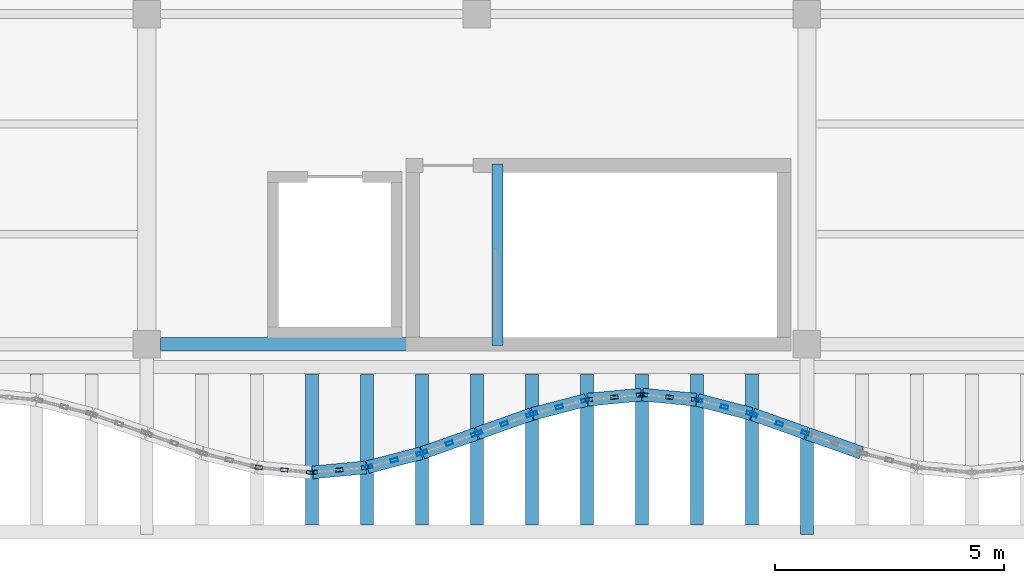
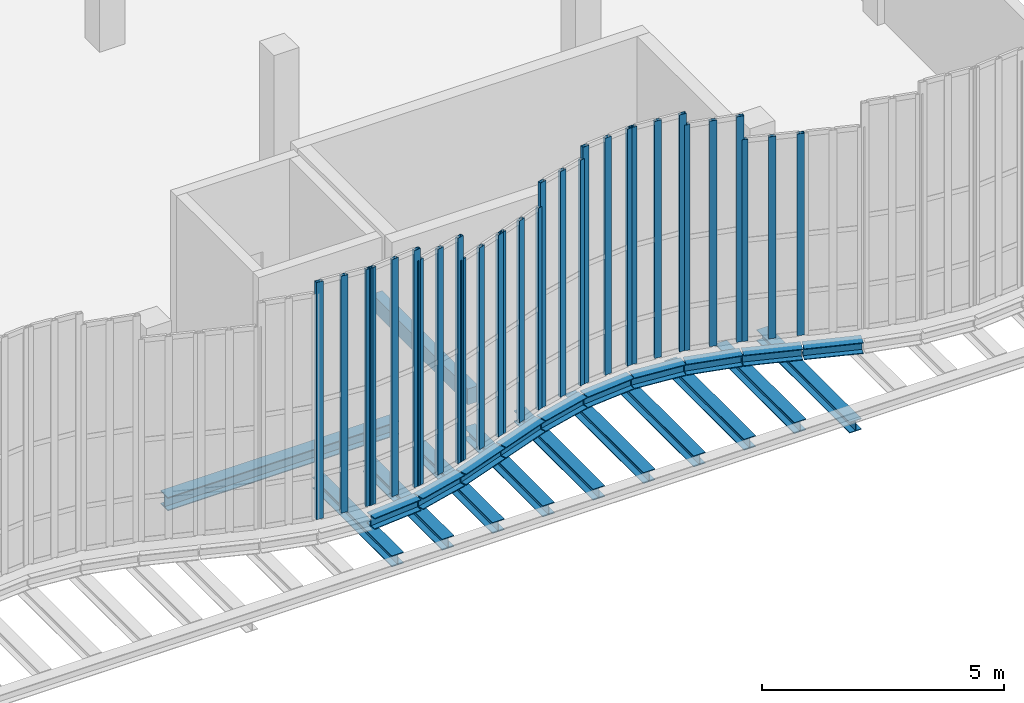
# One storey, part 24 of 76: 30 members, 22 beams, 10 elements without a shape of their own.
"""IFC4 building model written with IfcOpenShell, lengths in metres."""

import ifcopenshell
import ifcopenshell.guid

model = None  # the IFC model being written
_history = None  # IfcOwnerHistory: only IFC2X3 demands one
_inside = {}  # id of a spatial element -> (the spatial element, [elements in it])
_under = {}  # id of a project, library or spatial element -> (it, [spatial elements below it])
_declared = {}  # id of a project -> (the project, [libraries it declares])
_typed = {}  # id of a type object -> (the type object, [elements of that type])
_made_of = {}  # id of a material, layer set ... -> (it, [elements and type objects made of it])


def new_model(schema):
    """Start an empty IFC model of exactly this schema.

    Asked for "IFC4X3", IfcOpenShell would pick the latest addendum, in which some entities
    have other attributes; the version numbers below select the first issue.
    IFC2X3 requires an IfcOwnerHistory on every rooted entity: one is made here for all.
    """
    global model, _history
    if schema == "IFC4X3":
        model = ifcopenshell.file(schema_version=(4, 3, 0, 0))
    else:
        model = ifcopenshell.file(schema=schema)
    _inside.clear()
    _under.clear()
    _declared.clear()
    _typed.clear()
    _made_of.clear()
    _history = None
    if model.schema == "IFC2X3":
        org = make("IfcOrganization", Name="unknown")
        user = make(
            "IfcPersonAndOrganization",
            ThePerson=make("IfcPerson", FamilyName="unknown"),
            TheOrganization=org,
        )
        app = make(
            "IfcApplication",
            ApplicationDeveloper=org,
            Version="unknown",
            ApplicationFullName="unknown",
            ApplicationIdentifier="unknown",
        )
        _history = make(
            "IfcOwnerHistory",
            OwningUser=user,
            OwningApplication=app,
            ChangeAction="ADDED",
            CreationDate=0,
        )
    return model


def make(cls, **values):
    """One entity of the class cls with the attributes given. An attribute that is None is left unset."""
    return model.create_entity(
        cls, **{name: value for name, value in values.items() if value is not None}
    )


def rooted(cls, **values):
    """An entity with a GlobalId (a new one), such as an element, a storey or a relation."""
    return make(cls, GlobalId=ifcopenshell.guid.new(), OwnerHistory=_history, **values)


def si_unit(unit_type, name, prefix=None):
    """IfcSIUnit, for example si_unit("LENGTHUNIT", "METRE", prefix="MILLI")."""
    return make("IfcSIUnit", UnitType=unit_type, Prefix=prefix, Name=name)


def assignment(units):
    """IfcUnitAssignment: the units of a project."""
    return None if units is None else make("IfcUnitAssignment", Units=units)


def point(xyz):
    """IfcCartesianPoint."""
    return None if xyz is None else make("IfcCartesianPoint", Coordinates=xyz)


def direction(xyz):
    """IfcDirection."""
    return None if xyz is None else make("IfcDirection", DirectionRatios=xyz)


def frame(location, z_axis=None, x_axis=None):
    """IfcAxis2Placement3D, a coordinate frame: its origin and axes. An axis left out is left unset."""
    return make(
        "IfcAxis2Placement3D",
        Location=point(location),
        Axis=direction(z_axis),
        RefDirection=direction(x_axis),
    )


def frame_2d(location, x_axis=None):
    """IfcAxis2Placement2D, a coordinate frame in the plane: its origin and x axis."""
    return make(
        "IfcAxis2Placement2D", Location=point(location), RefDirection=direction(x_axis)
    )


def origin():
    """The frame at (0, 0, 0) with its axes left unset."""
    return frame((0.0, 0.0, 0.0))


def origin_2d():
    """The frame at (0, 0) in the plane with its x axis left unset."""
    return frame_2d((0.0, 0.0))


def place(relative_to, where):
    """IfcLocalPlacement: puts the frame where relative to a parent placement (None: the world)."""
    return make(
        "IfcLocalPlacement", PlacementRelTo=relative_to, RelativePlacement=where
    )


def context(
    kind, dimensions, precision=None, world=None, true_north=None, identifier=None
):
    """IfcGeometricRepresentationContext, for example the 3D "Model" context."""
    return make(
        "IfcGeometricRepresentationContext",
        ContextIdentifier=identifier,
        ContextType=kind,
        CoordinateSpaceDimension=dimensions,
        Precision=precision,
        WorldCoordinateSystem=world,
        TrueNorth=true_north,
    )


def subcontext(parent, identifier, kind, view, scale=None):
    """IfcGeometricRepresentationSubContext, for example "Body" below "Model"."""
    return make(
        "IfcGeometricRepresentationSubContext",
        ContextIdentifier=identifier,
        ContextType=kind,
        ParentContext=parent,
        TargetScale=scale,
        TargetView=view,
    )


def project(units=None, contexts=None):
    """IfcProject with its units and contexts."""
    return rooted(
        "IfcProject",
        Name="project",
        RepresentationContexts=contexts,
        UnitsInContext=assignment(units),
    )


def spatial(cls, under=None, at=None, **own):
    """A site, building, storey or space (cls), placed at a placement, below another one or the project."""
    s = rooted(cls, ObjectPlacement=at, **own)
    if under is not None:
        _under.setdefault(under.id(), (under, []))[1].append(s)
    return s


def profile(cls, at=None, kind="AREA", **sizes):
    """A parametric profile (cls). Its sizes go by their IFC names, for example OverallWidth=200.0."""
    return make(cls, ProfileType=kind, Position=at, **sizes)


def rectangle(**sizes):
    """IfcRectangleProfileDef."""
    return profile("IfcRectangleProfileDef", **sizes)


def hollow_rectangle(**sizes):
    """IfcRectangleHollowProfileDef."""
    return profile("IfcRectangleHollowProfileDef", **sizes)


def i_section(**sizes):
    """IfcIShapeProfileDef."""
    return profile("IfcIShapeProfileDef", **sizes)


def extrude(swept, where, along, depth):
    """IfcExtrudedAreaSolid: the profile swept, set in the frame where, extruded along a direction by depth."""
    return make(
        "IfcExtrudedAreaSolid",
        SweptArea=swept,
        Position=where,
        ExtrudedDirection=direction(along),
        Depth=depth,
    )


def shape(context_of_items, identifier, shape_type, items):
    """IfcShapeRepresentation: the items that make up one representation, for example the "Body"."""
    return make(
        "IfcShapeRepresentation",
        ContextOfItems=context_of_items,
        RepresentationIdentifier=identifier,
        RepresentationType=shape_type,
        Items=items,
    )


def material(Name=None, Category=None):
    """IfcMaterial."""
    return make("IfcMaterial", Name=Name, Category=Category)


def layer(
    of_material, thickness, ventilated=None, Name=None, Category=None, Priority=None
):
    """IfcMaterialLayer: one layer of a wall or slab, of a material (None: an air gap)."""
    return make(
        "IfcMaterialLayer",
        Material=of_material,
        LayerThickness=thickness,
        IsVentilated=ventilated,
        Name=Name,
        Category=Category,
        Priority=Priority,
    )


def layer_set(layers, Name=None):
    """IfcMaterialLayerSet."""
    return make("IfcMaterialLayerSet", MaterialLayers=layers, LayerSetName=Name)


def material_profile(
    of_material, cross_section, Name=None, Category=None, Priority=None
):
    """IfcMaterialProfile: a cross section and its material."""
    return make(
        "IfcMaterialProfile",
        Name=Name,
        Material=of_material,
        Profile=cross_section,
        Priority=Priority,
        Category=Category,
    )


def profile_set(profiles, Name=None, composite=None):
    """IfcMaterialProfileSet."""
    return make(
        "IfcMaterialProfileSet",
        Name=Name,
        MaterialProfiles=profiles,
        CompositeProfile=composite,
    )


def made_of(thing, what):
    """Note that an element or type object is made of a material, layer set ...; save() writes the relation."""
    if what is not None:
        _made_of.setdefault(what.id(), (what, []))[1].append(thing)
    return thing


def type_object(cls, material=None, **own):
    """A type object (cls), such as IfcWallType, which elements share."""
    return made_of(rooted(cls, **own), material)


def element(
    cls,
    number,
    at=None,
    inside=None,
    cuts=None,
    type_object=None,
    material=None,
    context=None,
    identifier="Body",
    shape_type=None,
    held_by="IfcProductDefinitionShape",
    body=None,
    shapes=None,
    **own,
):
    """One element of the class cls, such as IfcWall. Its Tag is "e" and its number.

    at: its placement. inside: the storey or other place that contains it. cuts: it is an
    opening in that element (IfcRelVoidsElement). A single representation is given by context,
    identifier, shape_type and body (its items); several are given by shapes. held_by: the class
    of the entity that holds the representations. save() writes the other relations.
    """
    e = rooted(cls, Tag="e%d" % number, ObjectPlacement=at, **own)
    if body is not None:
        shapes = [shape(context, identifier, shape_type, body)]
    if shapes is not None:
        e.Representation = make(held_by, Representations=shapes)
    if inside is not None:
        _inside.setdefault(inside.id(), (inside, []))[1].append(e)
    if cuts is not None:
        rooted(
            "IfcRelVoidsElement", RelatingBuildingElement=cuts, RelatedOpeningElement=e
        )
    if type_object is not None:
        _typed.setdefault(type_object.id(), (type_object, []))[1].append(e)
    return made_of(e, material)


def aggregate(whole, parts):
    """IfcRelAggregates: a whole, such as a stair, and the parts it consists of."""
    return rooted("IfcRelAggregates", RelatingObject=whole, RelatedObjects=parts)


def save(model, path):
    """Write the relations noted so far, then the file.

    IfcRelAggregates (storeys below a building ...), IfcRelContainedInSpatialStructure (elements
    in a storey), IfcRelDefinesByType, IfcRelAssociatesMaterial and IfcRelDeclares: one each for
    every whole, place, type object, material and project.
    """
    for whole, parts in _under.values():
        aggregate(whole, parts)
    for where, things in _inside.values():
        rooted(
            "IfcRelContainedInSpatialStructure",
            RelatedElements=things,
            RelatingStructure=where,
        )
    for kind, things in _typed.values():
        rooted("IfcRelDefinesByType", RelatedObjects=things, RelatingType=kind)
    for what, things in _made_of.values():
        rooted("IfcRelAssociatesMaterial", RelatedObjects=things, RelatingMaterial=what)
    for by, libraries in _declared.values():
        rooted("IfcRelDeclares", RelatingContext=by, RelatedDefinitions=libraries)
    model.write(path)


model = new_model("IFC4")

# Units and contexts
model_context = context("Model", 3, precision=1e-05, world=origin(), true_north=direction((0.0, 1.0)))
body_context = subcontext(model_context, "Body", "Model", "MODEL_VIEW")
ifc_project = project(units=[si_unit("LENGTHUNIT", "METRE"), si_unit("AREAUNIT", "SQUARE_METRE"), si_unit("VOLUMEUNIT", "CUBIC_METRE"), si_unit("PLANEANGLEUNIT", "RADIAN"), si_unit("MASSUNIT", "GRAM", prefix="KILO"), si_unit("THERMODYNAMICTEMPERATUREUNIT", "KELVIN"), si_unit("POWERUNIT", "WATT")], contexts=[model_context])

# Site, building, storey
site_placement = place(None, origin())
site = spatial("IfcSite", under=ifc_project, at=site_placement, CompositionType="ELEMENT")
building_placement = place(site_placement, origin())
building = spatial("IfcBuilding", under=site, at=building_placement, Name="Kaldorven Railside Theatre", CompositionType="ELEMENT")
storey_placement = place(building_placement, frame((0.0, 0.0, 14.39990234375)))
storey = spatial("IfcBuildingStorey", under=building, at=storey_placement, Name="L03", CompositionType="ELEMENT", Elevation=14.39990234375)

# Beams
ifc_material_1 = material(Name="Steel S355", Category="steel")
ifc_material_profile_1 = material_profile(ifc_material_1, i_section(OverallWidth=0.280029296875, OverallDepth=0.280029296875, WebThickness=0.010498046875, FlangeThickness=0.01806640625, at=origin_2d()), Name="HEB 280")
ifc_profile_set_1 = profile_set([ifc_material_profile_1], Name="Steel S355")
beam_type_1 = type_object("IfcBeamType", Name="BM-HEB280", PredefinedType="SPANDREL", material=ifc_profile_set_1)
beam_1_placement = place(storey_placement, frame((116.0, 15.050048828125, -0.97998046875), z_axis=(0.0, 1.0, 0.0), x_axis=(-1.0, 0.0, 0.0)))
element("IfcBeam", 1, at=beam_1_placement, inside=storey, type_object=beam_type_1, Name="L03 Sinusoidal Lower Cantilever Girder FOB-K036", PredefinedType="SPANDREL", context=body_context, shape_type="SweptSolid", body=[
    extrude(i_section(OverallWidth=0.280029296875, OverallDepth=0.280029296875, WebThickness=0.010498046875, FlangeThickness=0.01806640625, at=origin_2d()), origin(), (0.0, 0.0, 1.0), 3.849853515625),
])
beam_2_placement = place(storey_placement, frame((105.21484375, 16.4013671875, -0.419921875), z_axis=(0.99552436473, 0.094505233873, 0.0), x_axis=(-0.094505233873, 0.99552436473, 0.0)))
element("IfcBeam", 2, at=beam_2_placement, inside=storey, type_object=beam_type_1, Name="L03 Sinusoidal Flute Edge Spandrel FSB-202", PredefinedType="SPANDREL", context=body_context, shape_type="SweptSolid", body=[
    extrude(i_section(OverallWidth=0.280029296875, OverallDepth=0.280029296875, WebThickness=0.010498046875, FlangeThickness=0.01806640625, at=origin_2d()), origin(), (0.0, 0.0, 1.0), 1.175537109375),
])
beam_3_placement = place(storey_placement, frame((105.199951171875, 15.260009765625, -0.699951171875), z_axis=(0.0, 1.0, 0.0), x_axis=(-1.0, 0.0, 0.0)))
element("IfcBeam", 3, at=beam_3_placement, inside=storey, type_object=beam_type_1, Name="L03 Sinusoidal Diaphragm Rib Outrigger FOB-M202", PredefinedType="SPANDREL", context=body_context, shape_type="SweptSolid", body=[
    extrude(i_section(OverallWidth=0.280029296875, OverallDepth=0.280029296875, WebThickness=0.010498046875, FlangeThickness=0.01806640625, at=origin_2d()), origin(), (0.0, 0.0, 1.0), 3.280029296875),
])
beam_4_placement = place(storey_placement, frame((106.41455078125, 16.517578125, -0.419921875), z_axis=(0.967967836725, 0.251074226206, 0.0), x_axis=(-0.251074226206, 0.967967836725, 0.0)))
element("IfcBeam", 4, at=beam_4_placement, inside=storey, type_object=beam_type_1, Name="L03 Sinusoidal Flute Edge Spandrel FSB-203", PredefinedType="SPANDREL", context=body_context, shape_type="SweptSolid", body=[
    extrude(i_section(OverallWidth=0.280029296875, OverallDepth=0.280029296875, WebThickness=0.010498046875, FlangeThickness=0.01806640625, at=origin_2d()), origin(), (0.0, 0.0, 1.0), 1.209716796875),
])
beam_5_placement = place(storey_placement, frame((106.39990234375, 15.260009765625, -0.699951171875), z_axis=(0.0, 1.0, 0.0), x_axis=(-1.0, 0.0, 0.0)))
element("IfcBeam", 5, at=beam_5_placement, inside=storey, type_object=beam_type_1, Name="L03 Sinusoidal Diaphragm Rib Outrigger FOB-M203", PredefinedType="SPANDREL", context=body_context, shape_type="SweptSolid", body=[
    extrude(i_section(OverallWidth=0.280029296875, OverallDepth=0.280029296875, WebThickness=0.010498046875, FlangeThickness=0.01806640625, at=origin_2d()), origin(), (0.0, 0.0, 1.0), 3.280029296875),
])
beam_6_placement = place(storey_placement, frame((107.614013671875, 16.830078125, -0.419921875), z_axis=(0.942627225161, 0.333847142245, 0.0), x_axis=(-0.333847142245, 0.942627225161, 0.0)))
element("IfcBeam", 6, at=beam_6_placement, inside=storey, type_object=beam_type_1, Name="L03 Sinusoidal Flute Edge Spandrel FSB-204", PredefinedType="SPANDREL", context=body_context, shape_type="SweptSolid", body=[
    extrude(i_section(OverallWidth=0.280029296875, OverallDepth=0.280029296875, WebThickness=0.010498046875, FlangeThickness=0.01806640625, at=origin_2d()), origin(), (0.0, 0.0, 1.0), 1.2431640625),
])
beam_7_placement = place(storey_placement, frame((107.60009765625, 15.260009765625, -0.699951171875), z_axis=(0.0, 1.0, 0.0), x_axis=(-1.0, 0.0, 0.0)))
element("IfcBeam", 7, at=beam_7_placement, inside=storey, type_object=beam_type_1, Name="L03 Sinusoidal Diaphragm Rib Outrigger FOB-M204", PredefinedType="SPANDREL", context=body_context, shape_type="SweptSolid", body=[
    extrude(i_section(OverallWidth=0.280029296875, OverallDepth=0.280029296875, WebThickness=0.010498046875, FlangeThickness=0.01806640625, at=origin_2d()), origin(), (0.0, 0.0, 1.0), 3.280029296875),
])
beam_8_placement = place(storey_placement, frame((108.814208984375, 17.2548828125, -0.419921875), z_axis=(0.942605331688, 0.333908952671, 0.0), x_axis=(-0.333908952671, 0.942605331688, 0.0)))
element("IfcBeam", 8, at=beam_8_placement, inside=storey, type_object=beam_type_1, Name="L03 Sinusoidal Flute Edge Spandrel FSB-205", PredefinedType="SPANDREL", context=body_context, shape_type="SweptSolid", body=[
    extrude(i_section(OverallWidth=0.280029296875, OverallDepth=0.280029296875, WebThickness=0.010498046875, FlangeThickness=0.01806640625, at=origin_2d()), origin(), (0.0, 0.0, 1.0), 1.242919921875),
])
beam_9_placement = place(storey_placement, frame((108.800048828125, 15.260009765625, -0.699951171875), z_axis=(0.0, 1.0, 0.0), x_axis=(-1.0, 0.0, 0.0)))
element("IfcBeam", 9, at=beam_9_placement, inside=storey, type_object=beam_type_1, Name="L03 Sinusoidal Diaphragm Rib Outrigger FOB-M205", PredefinedType="SPANDREL", context=body_context, shape_type="SweptSolid", body=[
    extrude(i_section(OverallWidth=0.280029296875, OverallDepth=0.280029296875, WebThickness=0.010498046875, FlangeThickness=0.01806640625, at=origin_2d()), origin(), (0.0, 0.0, 1.0), 3.280029296875),
])
beam_10_placement = place(storey_placement, frame((110.014404296875, 17.6787109375, -0.419921875), z_axis=(0.967980555895, 0.25102518481, 0.0), x_axis=(-0.25102518481, 0.967980555895, 0.0)))
element("IfcBeam", 10, at=beam_10_placement, inside=storey, type_object=beam_type_1, Name="L03 Sinusoidal Flute Edge Spandrel FSB-206", PredefinedType="SPANDREL", context=body_context, shape_type="SweptSolid", body=[
    extrude(i_section(OverallWidth=0.280029296875, OverallDepth=0.280029296875, WebThickness=0.010498046875, FlangeThickness=0.01806640625, at=origin_2d()), origin(), (0.0, 0.0, 1.0), 1.2099609375),
])
beam_11_placement = place(storey_placement, frame((110.0, 15.260009765625, -0.699951171875), z_axis=(0.0, 1.0, 0.0), x_axis=(-1.0, 0.0, 0.0)))
element("IfcBeam", 11, at=beam_11_placement, inside=storey, type_object=beam_type_1, Name="L03 Sinusoidal Diaphragm Rib Outrigger FOB-M206", PredefinedType="SPANDREL", context=body_context, shape_type="SweptSolid", body=[
    extrude(i_section(OverallWidth=0.280029296875, OverallDepth=0.280029296875, WebThickness=0.010498046875, FlangeThickness=0.01806640625, at=origin_2d()), origin(), (0.0, 0.0, 1.0), 3.280029296875),
])
beam_12_placement = place(storey_placement, frame((111.21484375, 17.987548828125, -0.419921875), z_axis=(0.99552436473, 0.094505233873, 0.0), x_axis=(-0.094505233873, 0.99552436473, 0.0)))
element("IfcBeam", 12, at=beam_12_placement, inside=storey, type_object=beam_type_1, Name="L03 Sinusoidal Flute Edge Spandrel FSB-207", PredefinedType="SPANDREL", context=body_context, shape_type="SweptSolid", body=[
    extrude(i_section(OverallWidth=0.280029296875, OverallDepth=0.280029296875, WebThickness=0.010498046875, FlangeThickness=0.01806640625, at=origin_2d()), origin(), (0.0, 0.0, 1.0), 1.175537109375),
])
beam_13_placement = place(storey_placement, frame((111.199951171875, 15.260009765625, -0.699951171875), z_axis=(0.0, 1.0, 0.0), x_axis=(-1.0, 0.0, 0.0)))
element("IfcBeam", 13, at=beam_13_placement, inside=storey, type_object=beam_type_1, Name="L03 Sinusoidal Diaphragm Rib Outrigger FOB-M207", PredefinedType="SPANDREL", context=body_context, shape_type="SweptSolid", body=[
    extrude(i_section(OverallWidth=0.280029296875, OverallDepth=0.280029296875, WebThickness=0.010498046875, FlangeThickness=0.01806640625, at=origin_2d()), origin(), (0.0, 0.0, 1.0), 3.280029296875),
])
beam_14_placement = place(storey_placement, frame((112.414794921875, 18.0986328125, -0.419921875), z_axis=(0.995526219207, -0.09448569665, 0.0), x_axis=(0.09448569665, 0.995526219207, 0.0)))
element("IfcBeam", 14, at=beam_14_placement, inside=storey, type_object=beam_type_1, Name="L03 Sinusoidal Flute Edge Spandrel FSB-208", PredefinedType="SPANDREL", context=body_context, shape_type="SweptSolid", body=[
    extrude(i_section(OverallWidth=0.280029296875, OverallDepth=0.280029296875, WebThickness=0.010498046875, FlangeThickness=0.01806640625, at=origin_2d()), origin(), (0.0, 0.0, 1.0), 1.17578125),
])
beam_15_placement = place(storey_placement, frame((112.39990234375, 15.260009765625, -0.699951171875), z_axis=(0.0, 1.0, 0.0), x_axis=(-1.0, 0.0, 0.0)))
element("IfcBeam", 15, at=beam_15_placement, inside=storey, type_object=beam_type_1, Name="L03 Sinusoidal Diaphragm Rib Outrigger FOB-M208", PredefinedType="SPANDREL", context=body_context, shape_type="SweptSolid", body=[
    extrude(i_section(OverallWidth=0.280029296875, OverallDepth=0.280029296875, WebThickness=0.010498046875, FlangeThickness=0.01806640625, at=origin_2d()), origin(), (0.0, 0.0, 1.0), 3.280029296875),
])
beam_16_placement = place(storey_placement, frame((113.614501953125, 17.982421875, -0.419921875), z_axis=(0.967967836725, -0.251074226206, 0.0), x_axis=(0.251074226206, 0.967967836725, 0.0)))
element("IfcBeam", 16, at=beam_16_placement, inside=storey, type_object=beam_type_1, Name="L03 Sinusoidal Flute Edge Spandrel FSB-209", PredefinedType="SPANDREL", context=body_context, shape_type="SweptSolid", body=[
    extrude(i_section(OverallWidth=0.280029296875, OverallDepth=0.280029296875, WebThickness=0.010498046875, FlangeThickness=0.01806640625, at=origin_2d()), origin(), (0.0, 0.0, 1.0), 1.209716796875),
])
beam_17_placement = place(storey_placement, frame((113.60009765625, 15.260009765625, -0.699951171875), z_axis=(0.0, 1.0, 0.0), x_axis=(-1.0, 0.0, 0.0)))
element("IfcBeam", 17, at=beam_17_placement, inside=storey, type_object=beam_type_1, Name="L03 Sinusoidal Diaphragm Rib Outrigger FOB-M209", PredefinedType="SPANDREL", context=body_context, shape_type="SweptSolid", body=[
    extrude(i_section(OverallWidth=0.280029296875, OverallDepth=0.280029296875, WebThickness=0.010498046875, FlangeThickness=0.01806640625, at=origin_2d()), origin(), (0.0, 0.0, 1.0), 3.280029296875),
])
beam_18_placement = place(storey_placement, frame((114.814208984375, 17.669921875, -0.419921875), z_axis=(0.942605331688, -0.333908952671, 0.0), x_axis=(0.333908952671, 0.942605331688, 0.0)))
element("IfcBeam", 18, at=beam_18_placement, inside=storey, type_object=beam_type_1, Name="L03 Sinusoidal Flute Edge Spandrel FSB-210", PredefinedType="SPANDREL", context=body_context, shape_type="SweptSolid", body=[
    extrude(i_section(OverallWidth=0.280029296875, OverallDepth=0.280029296875, WebThickness=0.010498046875, FlangeThickness=0.01806640625, at=origin_2d()), origin(), (0.0, 0.0, 1.0), 1.242919921875),
])
beam_19_placement = place(storey_placement, frame((114.800048828125, 15.260009765625, -0.699951171875), z_axis=(0.0, 1.0, 0.0), x_axis=(-1.0, 0.0, 0.0)))
element("IfcBeam", 19, at=beam_19_placement, inside=storey, type_object=beam_type_1, Name="L03 Sinusoidal Diaphragm Rib Outrigger FOB-M210", PredefinedType="SPANDREL", context=body_context, shape_type="SweptSolid", body=[
    extrude(i_section(OverallWidth=0.280029296875, OverallDepth=0.280029296875, WebThickness=0.010498046875, FlangeThickness=0.01806640625, at=origin_2d()), origin(), (0.0, 0.0, 1.0), 3.280029296875),
])
beam_20_placement = place(storey_placement, frame((116.01416015625, 17.2451171875, -0.419921875), z_axis=(0.942605331688, -0.333908952671, 0.0), x_axis=(0.333908952671, 0.942605331688, 0.0)))
element("IfcBeam", 20, at=beam_20_placement, inside=storey, type_object=beam_type_1, Name="L03 Sinusoidal Flute Edge Spandrel FSB-211", PredefinedType="SPANDREL", context=body_context, shape_type="SweptSolid", body=[
    extrude(i_section(OverallWidth=0.280029296875, OverallDepth=0.280029296875, WebThickness=0.010498046875, FlangeThickness=0.01806640625, at=origin_2d()), origin(), (0.0, 0.0, 1.0), 1.242919921875),
])
ifc_material_profile_2 = material_profile(ifc_material_1, i_section(OverallWidth=0.300048828125, OverallDepth=0.340087890625, WebThickness=0.011962890625, FlangeThickness=0.021484375, at=origin_2d()), Name="HEB 340")
ifc_profile_set_2 = profile_set([ifc_material_profile_2], Name="Steel S355")
beam_type_2 = type_object("IfcBeamType", Name="BM-HEB340", PredefinedType="SPANDREL", material=ifc_profile_set_2)
beam_21_placement = place(storey_placement, frame((101.89990234375, 19.199951171875, -0.449951171875), z_axis=(1.0, 0.0, 0.0), x_axis=(0.0, 1.0, 0.0)))
element("IfcBeam", 21, at=beam_21_placement, inside=storey, type_object=beam_type_2, Name="L03 Foyer Spandrel Header Girder FSPN-L03", PredefinedType="SPANDREL", context=body_context, shape_type="SweptSolid", body=[
    extrude(i_section(OverallWidth=0.300048828125, OverallDepth=0.340087890625, WebThickness=0.011962890625, FlangeThickness=0.021484375, at=origin_2d()), origin(), (0.0, 0.0, 1.0), 5.52001953125),
])
ifc_material_2 = material(Name="Concrete C40/50", Category="concrete")
ifc_material_profile_3 = material_profile(ifc_material_2, rectangle(XDim=0.25, YDim=0.39990234375, at=origin_2d()), Name="RC 250x400")
ifc_profile_set_3 = profile_set([ifc_material_profile_3], Name="Concrete C40/50")
beam_type_3 = type_object("IfcBeamType", Name="BM-RC250x400", PredefinedType="LINTEL", material=ifc_profile_set_3)
beam_22_placement = place(storey_placement, frame((109.25, 19.169921875, -0.344970703125), z_axis=(0.0, 1.0, 0.0), x_axis=(-1.0, 0.0, 0.0)))
element("IfcBeam", 22, at=beam_22_placement, inside=storey, type_object=beam_type_3, Name="Stair ST-04 L03 Landing Trimmer Beam", PredefinedType="LINTEL", context=body_context, shape_type="SweptSolid", body=[
    extrude(rectangle(XDim=0.25, YDim=0.39990234375, at=origin_2d()), origin(), (0.0, 0.0, 1.0), 3.9599609375),
])

# Curtain wall, members
ifc_material_3 = material(Name="Low-E laminated solar-control glass", Category="glass")
ifc_layer_1 = layer(ifc_material_3, 0.159912109375, Name="Low-E laminated solar-control glass")
ifc_layer_set_1 = layer_set([ifc_layer_1], Name="Low-E laminated solar-control glass")
curtain_wall_type_1 = type_object("IfcCurtainWallType", Name="CWT-10", PredefinedType="USERDEFINED", material=ifc_layer_set_1)
curtain_wall_1_placement = place(storey_placement, origin())
curtain_wall_1 = element("IfcCurtainWall", 23, at=curtain_wall_1_placement, inside=storey, type_object=curtain_wall_type_1, Name="Sinusoidal Fluted Curtain Wall CW-L03-S57", ObjectType="FLUTED GLAZING", PredefinedType="USERDEFINED")
ifc_material_4 = material(Name="Anodised bronze aluminium", Category="aluminium")
ifc_material_profile_4 = material_profile(ifc_material_4, hollow_rectangle(XDim=0.080078125, YDim=0.159912109375, WallThickness=0.00634765625, at=origin_2d()), Name="RHS 160x80x6.3")
ifc_profile_set_4 = profile_set([ifc_material_profile_4], Name="Anodised bronze aluminium")
member_type = type_object("IfcMemberType", Name="CWM-160", PredefinedType="MULLION", material=ifc_profile_set_4)
member_1_placement = place(storey_placement, frame((104.039794921875, 16.510009765625, 0.0), z_axis=(0.0, 0.0, 1.0), x_axis=(0.094491973758, 0.995525623425, 0.0)))
member_1 = element("IfcMember", 24, at=member_1_placement, type_object=member_type, Name="CW-L03-S57 mullion 1", PredefinedType="MULLION", context=body_context, shape_type="SweptSolid", body=[
    extrude(hollow_rectangle(XDim=0.080078125, YDim=0.159912109375, WallThickness=0.00634765625, at=origin_2d()), origin(), (0.0, 0.0, 1.0), 5.97998046875),
])
member_2_placement = place(storey_placement, frame((104.60009765625, 16.45703125, 0.0), z_axis=(0.0, 0.0, 1.0), x_axis=(0.094491973758, 0.995525623425, 0.0)))
member_2 = element("IfcMember", 25, at=member_2_placement, type_object=member_type, Name="CW-L03-S57 mullion 2", PredefinedType="MULLION", context=body_context, shape_type="SweptSolid", body=[
    extrude(hollow_rectangle(XDim=0.080078125, YDim=0.159912109375, WallThickness=0.00634765625, at=origin_2d()), origin(), (0.0, 0.0, 1.0), 5.97998046875),
])
member_3_placement = place(storey_placement, frame((105.16015625, 16.40380859375, 0.0), z_axis=(0.0, 0.0, 1.0), x_axis=(0.094491973758, 0.995525623425, 0.0)))
member_3 = element("IfcMember", 26, at=member_3_placement, type_object=member_type, Name="CW-L03-S57 mullion 3", PredefinedType="MULLION", context=body_context, shape_type="SweptSolid", body=[
    extrude(hollow_rectangle(XDim=0.080078125, YDim=0.159912109375, WallThickness=0.00634765625, at=origin_2d()), origin(), (0.0, 0.0, 1.0), 5.97998046875),
])
aggregate(curtain_wall_1, [member_1, member_2, member_3])

curtain_wall_2_placement = place(storey_placement, origin())
curtain_wall_2 = element("IfcCurtainWall", 27, at=curtain_wall_2_placement, inside=storey, type_object=curtain_wall_type_1, Name="Sinusoidal Fluted Curtain Wall CW-L03-S58", ObjectType="FLUTED GLAZING", PredefinedType="USERDEFINED")
member_4_placement = place(storey_placement, frame((105.23974609375, 16.40380859375, 0.0), z_axis=(0.0, 0.0, 1.0), x_axis=(-0.094491973758, 0.995525623425, 0.0)))
member_4 = element("IfcMember", 28, at=member_4_placement, type_object=member_type, Name="CW-L03-S58 mullion 1", PredefinedType="MULLION", context=body_context, shape_type="SweptSolid", body=[
    extrude(hollow_rectangle(XDim=0.080078125, YDim=0.159912109375, WallThickness=0.00634765625, at=origin_2d()), origin(), (0.0, 0.0, 1.0), 5.97998046875),
])
member_5_placement = place(storey_placement, frame((105.800048828125, 16.45703125, 0.0), z_axis=(0.0, 0.0, 1.0), x_axis=(-0.094491973758, 0.995525623425, 0.0)))
member_5 = element("IfcMember", 29, at=member_5_placement, type_object=member_type, Name="CW-L03-S58 mullion 2", PredefinedType="MULLION", context=body_context, shape_type="SweptSolid", body=[
    extrude(hollow_rectangle(XDim=0.080078125, YDim=0.159912109375, WallThickness=0.00634765625, at=origin_2d()), origin(), (0.0, 0.0, 1.0), 5.97998046875),
])
member_6_placement = place(storey_placement, frame((106.360107421875, 16.510009765625, 0.0), z_axis=(0.0, 0.0, 1.0), x_axis=(-0.094491973758, 0.995525623425, 0.0)))
member_6 = element("IfcMember", 30, at=member_6_placement, type_object=member_type, Name="CW-L03-S58 mullion 3", PredefinedType="MULLION", context=body_context, shape_type="SweptSolid", body=[
    extrude(hollow_rectangle(XDim=0.080078125, YDim=0.159912109375, WallThickness=0.00634765625, at=origin_2d()), origin(), (0.0, 0.0, 1.0), 5.97998046875),
])
aggregate(curtain_wall_2, [member_4, member_5, member_6])

ifc_layer_2 = layer(ifc_material_3, 0.159912109375, Name="Low-E laminated solar-control glass")
ifc_layer_set_2 = layer_set([ifc_layer_2], Name="Low-E laminated solar-control glass")
curtain_wall_type_2 = type_object("IfcCurtainWallType", Name="CWT-09", PredefinedType="USERDEFINED", material=ifc_layer_set_2)
curtain_wall_3_placement = place(storey_placement, origin())
curtain_wall_3 = element("IfcCurtainWall", 31, at=curtain_wall_3_placement, inside=storey, type_object=curtain_wall_type_2, Name="Sinusoidal Fluted Curtain Wall CW-L03-S59", ObjectType="FLUTED GLAZING", PredefinedType="USERDEFINED")
member_7_placement = place(storey_placement, frame((106.438720703125, 16.52392578125, 0.0), z_axis=(0.0, 0.0, 1.0), x_axis=(-0.250953760326, 0.967999075505, 0.0)))
member_7 = element("IfcMember", 32, at=member_7_placement, type_object=member_type, Name="CW-L03-S59 mullion 1", PredefinedType="MULLION", context=body_context, shape_type="SweptSolid", body=[
    extrude(hollow_rectangle(XDim=0.080078125, YDim=0.159912109375, WallThickness=0.00634765625, at=origin_2d()), origin(), (0.0, 0.0, 1.0), 5.690185546875),
])
member_8_placement = place(storey_placement, frame((107.0, 16.66943359375, 0.0), z_axis=(0.0, 0.0, 1.0), x_axis=(-0.250953760326, 0.967999075505, 0.0)))
member_8 = element("IfcMember", 33, at=member_8_placement, type_object=member_type, Name="CW-L03-S59 mullion 2", PredefinedType="MULLION", context=body_context, shape_type="SweptSolid", body=[
    extrude(hollow_rectangle(XDim=0.080078125, YDim=0.159912109375, WallThickness=0.00634765625, at=origin_2d()), origin(), (0.0, 0.0, 1.0), 5.690185546875),
])
member_9_placement = place(storey_placement, frame((107.561279296875, 16.81494140625, 0.0), z_axis=(0.0, 0.0, 1.0), x_axis=(-0.250953760326, 0.967999075505, 0.0)))
member_9 = element("IfcMember", 34, at=member_9_placement, type_object=member_type, Name="CW-L03-S59 mullion 3", PredefinedType="MULLION", context=body_context, shape_type="SweptSolid", body=[
    extrude(hollow_rectangle(XDim=0.080078125, YDim=0.159912109375, WallThickness=0.00634765625, at=origin_2d()), origin(), (0.0, 0.0, 1.0), 5.690185546875),
])
aggregate(curtain_wall_3, [member_7, member_8, member_9])

ifc_layer_3 = layer(ifc_material_3, 0.159912109375, Name="Low-E laminated solar-control glass")
ifc_layer_set_3 = layer_set([ifc_layer_3], Name="Low-E laminated solar-control glass")
curtain_wall_type_3 = type_object("IfcCurtainWallType", Name="CWT-08", PredefinedType="USERDEFINED", material=ifc_layer_set_3)
curtain_wall_4_placement = place(storey_placement, origin())
curtain_wall_4 = element("IfcCurtainWall", 35, at=curtain_wall_4_placement, inside=storey, type_object=curtain_wall_type_3, Name="Sinusoidal Fluted Curtain Wall CW-L03-S60", ObjectType="FLUTED GLAZING", PredefinedType="USERDEFINED")
member_10_placement = place(storey_placement, frame((107.6376953125, 16.83837890625, 0.0), z_axis=(0.0, 0.0, 1.0), x_axis=(-0.33384714225, 0.942627225159, 0.0)))
member_10 = element("IfcMember", 36, at=member_10_placement, type_object=member_type, Name="CW-L03-S60 mullion 1", PredefinedType="MULLION", context=body_context, shape_type="SweptSolid", body=[
    extrude(hollow_rectangle(XDim=0.080078125, YDim=0.159912109375, WallThickness=0.00634765625, at=origin_2d()), origin(), (0.0, 0.0, 1.0), 5.090087890625),
])
member_11_placement = place(storey_placement, frame((108.199951171875, 17.03759765625, 0.0), z_axis=(0.0, 0.0, 1.0), x_axis=(-0.33384714225, 0.942627225159, 0.0)))
member_11 = element("IfcMember", 37, at=member_11_placement, type_object=member_type, Name="CW-L03-S60 mullion 2", PredefinedType="MULLION", context=body_context, shape_type="SweptSolid", body=[
    extrude(hollow_rectangle(XDim=0.080078125, YDim=0.159912109375, WallThickness=0.00634765625, at=origin_2d()), origin(), (0.0, 0.0, 1.0), 5.090087890625),
])
member_12_placement = place(storey_placement, frame((108.76220703125, 17.236572265625, 0.0), z_axis=(0.0, 0.0, 1.0), x_axis=(-0.33384714225, 0.942627225159, 0.0)))
member_12 = element("IfcMember", 38, at=member_12_placement, type_object=member_type, Name="CW-L03-S60 mullion 3", PredefinedType="MULLION", context=body_context, shape_type="SweptSolid", body=[
    extrude(hollow_rectangle(XDim=0.080078125, YDim=0.159912109375, WallThickness=0.00634765625, at=origin_2d()), origin(), (0.0, 0.0, 1.0), 5.090087890625),
])
aggregate(curtain_wall_4, [member_10, member_11, member_12])

curtain_wall_5_placement = place(storey_placement, origin())
curtain_wall_5 = element("IfcCurtainWall", 39, at=curtain_wall_5_placement, inside=storey, type_object=curtain_wall_type_3, Name="Sinusoidal Fluted Curtain Wall CW-L03-S61", ObjectType="FLUTED GLAZING", PredefinedType="USERDEFINED")
member_13_placement = place(storey_placement, frame((108.837646484375, 17.263427734375, 0.0), z_axis=(0.0, 0.0, 1.0), x_axis=(-0.33384714225, 0.942627225159, 0.0)))
member_13 = element("IfcMember", 40, at=member_13_placement, type_object=member_type, Name="CW-L03-S61 mullion 1", PredefinedType="MULLION", context=body_context, shape_type="SweptSolid", body=[
    extrude(hollow_rectangle(XDim=0.080078125, YDim=0.159912109375, WallThickness=0.00634765625, at=origin_2d()), origin(), (0.0, 0.0, 1.0), 5.090087890625),
])
member_14_placement = place(storey_placement, frame((109.39990234375, 17.46240234375, 0.0), z_axis=(0.0, 0.0, 1.0), x_axis=(-0.33384714225, 0.942627225159, 0.0)))
member_14 = element("IfcMember", 41, at=member_14_placement, type_object=member_type, Name="CW-L03-S61 mullion 2", PredefinedType="MULLION", context=body_context, shape_type="SweptSolid", body=[
    extrude(hollow_rectangle(XDim=0.080078125, YDim=0.159912109375, WallThickness=0.00634765625, at=origin_2d()), origin(), (0.0, 0.0, 1.0), 5.090087890625),
])
member_15_placement = place(storey_placement, frame((109.96240234375, 17.66162109375, 0.0), z_axis=(0.0, 0.0, 1.0), x_axis=(-0.33384714225, 0.942627225159, 0.0)))
member_15 = element("IfcMember", 42, at=member_15_placement, type_object=member_type, Name="CW-L03-S61 mullion 3", PredefinedType="MULLION", context=body_context, shape_type="SweptSolid", body=[
    extrude(hollow_rectangle(XDim=0.080078125, YDim=0.159912109375, WallThickness=0.00634765625, at=origin_2d()), origin(), (0.0, 0.0, 1.0), 5.090087890625),
])
aggregate(curtain_wall_5, [member_13, member_14, member_15])

curtain_wall_6_placement = place(storey_placement, origin())
curtain_wall_6 = element("IfcCurtainWall", 43, at=curtain_wall_6_placement, inside=storey, type_object=curtain_wall_type_2, Name="Sinusoidal Fluted Curtain Wall CW-L03-S62", ObjectType="FLUTED GLAZING", PredefinedType="USERDEFINED")
member_16_placement = place(storey_placement, frame((110.038818359375, 17.68505859375, 0.0), z_axis=(0.0, 0.0, 1.0), x_axis=(-0.250953760326, 0.967999075505, 0.0)))
member_16 = element("IfcMember", 44, at=member_16_placement, type_object=member_type, Name="CW-L03-S62 mullion 1", PredefinedType="MULLION", context=body_context, shape_type="SweptSolid", body=[
    extrude(hollow_rectangle(XDim=0.080078125, YDim=0.159912109375, WallThickness=0.00634765625, at=origin_2d()), origin(), (0.0, 0.0, 1.0), 5.690185546875),
])
member_17_placement = place(storey_placement, frame((110.60009765625, 17.83056640625, 0.0), z_axis=(0.0, 0.0, 1.0), x_axis=(-0.250953760326, 0.967999075505, 0.0)))
member_17 = element("IfcMember", 45, at=member_17_placement, type_object=member_type, Name="CW-L03-S62 mullion 2", PredefinedType="MULLION", context=body_context, shape_type="SweptSolid", body=[
    extrude(hollow_rectangle(XDim=0.080078125, YDim=0.159912109375, WallThickness=0.00634765625, at=origin_2d()), origin(), (0.0, 0.0, 1.0), 5.690185546875),
])
member_18_placement = place(storey_placement, frame((111.161376953125, 17.97607421875, 0.0), z_axis=(0.0, 0.0, 1.0), x_axis=(-0.250953760326, 0.967999075505, 0.0)))
member_18 = element("IfcMember", 46, at=member_18_placement, type_object=member_type, Name="CW-L03-S62 mullion 3", PredefinedType="MULLION", context=body_context, shape_type="SweptSolid", body=[
    extrude(hollow_rectangle(XDim=0.080078125, YDim=0.159912109375, WallThickness=0.00634765625, at=origin_2d()), origin(), (0.0, 0.0, 1.0), 5.690185546875),
])
aggregate(curtain_wall_6, [member_16, member_17, member_18])

curtain_wall_7_placement = place(storey_placement, origin())
curtain_wall_7 = element("IfcCurtainWall", 47, at=curtain_wall_7_placement, inside=storey, type_object=curtain_wall_type_1, Name="Sinusoidal Fluted Curtain Wall CW-L03-S63", ObjectType="FLUTED GLAZING", PredefinedType="USERDEFINED")
member_19_placement = place(storey_placement, frame((111.23974609375, 17.989990234375, 0.0), z_axis=(0.0, 0.0, 1.0), x_axis=(-0.094491973758, 0.995525623425, 0.0)))
member_19 = element("IfcMember", 48, at=member_19_placement, type_object=member_type, Name="CW-L03-S63 mullion 1", PredefinedType="MULLION", context=body_context, shape_type="SweptSolid", body=[
    extrude(hollow_rectangle(XDim=0.080078125, YDim=0.159912109375, WallThickness=0.00634765625, at=origin_2d()), origin(), (0.0, 0.0, 1.0), 5.97998046875),
])
member_20_placement = place(storey_placement, frame((111.800048828125, 18.04296875, 0.0), z_axis=(0.0, 0.0, 1.0), x_axis=(-0.094491973758, 0.995525623425, 0.0)))
member_20 = element("IfcMember", 49, at=member_20_placement, type_object=member_type, Name="CW-L03-S63 mullion 2", PredefinedType="MULLION", context=body_context, shape_type="SweptSolid", body=[
    extrude(hollow_rectangle(XDim=0.080078125, YDim=0.159912109375, WallThickness=0.00634765625, at=origin_2d()), origin(), (0.0, 0.0, 1.0), 5.97998046875),
])
member_21_placement = place(storey_placement, frame((112.360107421875, 18.09619140625, 0.0), z_axis=(0.0, 0.0, 1.0), x_axis=(-0.094491973758, 0.995525623425, 0.0)))
member_21 = element("IfcMember", 50, at=member_21_placement, type_object=member_type, Name="CW-L03-S63 mullion 3", PredefinedType="MULLION", context=body_context, shape_type="SweptSolid", body=[
    extrude(hollow_rectangle(XDim=0.080078125, YDim=0.159912109375, WallThickness=0.00634765625, at=origin_2d()), origin(), (0.0, 0.0, 1.0), 5.97998046875),
])
aggregate(curtain_wall_7, [member_19, member_20, member_21])

curtain_wall_8_placement = place(storey_placement, origin())
curtain_wall_8 = element("IfcCurtainWall", 51, at=curtain_wall_8_placement, inside=storey, type_object=curtain_wall_type_1, Name="Sinusoidal Fluted Curtain Wall CW-L03-S64", ObjectType="FLUTED GLAZING", PredefinedType="USERDEFINED")
member_22_placement = place(storey_placement, frame((112.43994140625, 18.09619140625, 0.0), z_axis=(0.0, 0.0, 1.0), x_axis=(0.094491973758, 0.995525623425, 0.0)))
member_22 = element("IfcMember", 52, at=member_22_placement, type_object=member_type, Name="CW-L03-S64 mullion 1", PredefinedType="MULLION", context=body_context, shape_type="SweptSolid", body=[
    extrude(hollow_rectangle(XDim=0.080078125, YDim=0.159912109375, WallThickness=0.00634765625, at=origin_2d()), origin(), (0.0, 0.0, 1.0), 5.97998046875),
])
member_23_placement = place(storey_placement, frame((113.0, 18.04296875, 0.0), z_axis=(0.0, 0.0, 1.0), x_axis=(0.094491973758, 0.995525623425, 0.0)))
member_23 = element("IfcMember", 53, at=member_23_placement, type_object=member_type, Name="CW-L03-S64 mullion 2", PredefinedType="MULLION", context=body_context, shape_type="SweptSolid", body=[
    extrude(hollow_rectangle(XDim=0.080078125, YDim=0.159912109375, WallThickness=0.00634765625, at=origin_2d()), origin(), (0.0, 0.0, 1.0), 5.97998046875),
])
member_24_placement = place(storey_placement, frame((113.56005859375, 17.989990234375, 0.0), z_axis=(0.0, 0.0, 1.0), x_axis=(0.094491973758, 0.995525623425, 0.0)))
member_24 = element("IfcMember", 54, at=member_24_placement, type_object=member_type, Name="CW-L03-S64 mullion 3", PredefinedType="MULLION", context=body_context, shape_type="SweptSolid", body=[
    extrude(hollow_rectangle(XDim=0.080078125, YDim=0.159912109375, WallThickness=0.00634765625, at=origin_2d()), origin(), (0.0, 0.0, 1.0), 5.97998046875),
])
aggregate(curtain_wall_8, [member_22, member_23, member_24])

curtain_wall_9_placement = place(storey_placement, origin())
curtain_wall_9 = element("IfcCurtainWall", 55, at=curtain_wall_9_placement, inside=storey, type_object=curtain_wall_type_2, Name="Sinusoidal Fluted Curtain Wall CW-L03-S65", ObjectType="FLUTED GLAZING", PredefinedType="USERDEFINED")
member_25_placement = place(storey_placement, frame((113.638671875, 17.97607421875, 0.0), z_axis=(0.0, 0.0, 1.0), x_axis=(0.250953760326, 0.967999075505, 0.0)))
member_25 = element("IfcMember", 56, at=member_25_placement, type_object=member_type, Name="CW-L03-S65 mullion 1", PredefinedType="MULLION", context=body_context, shape_type="SweptSolid", body=[
    extrude(hollow_rectangle(XDim=0.080078125, YDim=0.159912109375, WallThickness=0.00634765625, at=origin_2d()), origin(), (0.0, 0.0, 1.0), 5.690185546875),
])
member_26_placement = place(storey_placement, frame((114.199951171875, 17.83056640625, 0.0), z_axis=(0.0, 0.0, 1.0), x_axis=(0.250953760326, 0.967999075505, 0.0)))
member_26 = element("IfcMember", 57, at=member_26_placement, type_object=member_type, Name="CW-L03-S65 mullion 2", PredefinedType="MULLION", context=body_context, shape_type="SweptSolid", body=[
    extrude(hollow_rectangle(XDim=0.080078125, YDim=0.159912109375, WallThickness=0.00634765625, at=origin_2d()), origin(), (0.0, 0.0, 1.0), 5.690185546875),
])
member_27_placement = place(storey_placement, frame((114.76123046875, 17.68505859375, 0.0), z_axis=(0.0, 0.0, 1.0), x_axis=(0.250953760326, 0.967999075505, 0.0)))
member_27 = element("IfcMember", 58, at=member_27_placement, type_object=member_type, Name="CW-L03-S65 mullion 3", PredefinedType="MULLION", context=body_context, shape_type="SweptSolid", body=[
    extrude(hollow_rectangle(XDim=0.080078125, YDim=0.159912109375, WallThickness=0.00634765625, at=origin_2d()), origin(), (0.0, 0.0, 1.0), 5.690185546875),
])
aggregate(curtain_wall_9, [member_25, member_26, member_27])

curtain_wall_10_placement = place(storey_placement, origin())
curtain_wall_10 = element("IfcCurtainWall", 59, at=curtain_wall_10_placement, inside=storey, type_object=curtain_wall_type_3, Name="Sinusoidal Fluted Curtain Wall CW-L03-S66", ObjectType="FLUTED GLAZING", PredefinedType="USERDEFINED")
member_28_placement = place(storey_placement, frame((114.837646484375, 17.66162109375, 0.0), z_axis=(0.0, 0.0, 1.0), x_axis=(0.33384714225, 0.942627225159, 0.0)))
member_28 = element("IfcMember", 60, at=member_28_placement, type_object=member_type, Name="CW-L03-S66 mullion 1", PredefinedType="MULLION", context=body_context, shape_type="SweptSolid", body=[
    extrude(hollow_rectangle(XDim=0.080078125, YDim=0.159912109375, WallThickness=0.00634765625, at=origin_2d()), origin(), (0.0, 0.0, 1.0), 5.090087890625),
])
member_29_placement = place(storey_placement, frame((115.39990234375, 17.46240234375, 0.0), z_axis=(0.0, 0.0, 1.0), x_axis=(0.33384714225, 0.942627225159, 0.0)))
member_29 = element("IfcMember", 61, at=member_29_placement, type_object=member_type, Name="CW-L03-S66 mullion 2", PredefinedType="MULLION", context=body_context, shape_type="SweptSolid", body=[
    extrude(hollow_rectangle(XDim=0.080078125, YDim=0.159912109375, WallThickness=0.00634765625, at=origin_2d()), origin(), (0.0, 0.0, 1.0), 5.090087890625),
])
member_30_placement = place(storey_placement, frame((115.96240234375, 17.263427734375, 0.0), z_axis=(0.0, 0.0, 1.0), x_axis=(0.33384714225, 0.942627225159, 0.0)))
member_30 = element("IfcMember", 62, at=member_30_placement, type_object=member_type, Name="CW-L03-S66 mullion 3", PredefinedType="MULLION", context=body_context, shape_type="SweptSolid", body=[
    extrude(hollow_rectangle(XDim=0.080078125, YDim=0.159912109375, WallThickness=0.00634765625, at=origin_2d()), origin(), (0.0, 0.0, 1.0), 5.090087890625),
])
aggregate(curtain_wall_10, [member_28, member_29, member_30])

save(model, "model.ifc")
